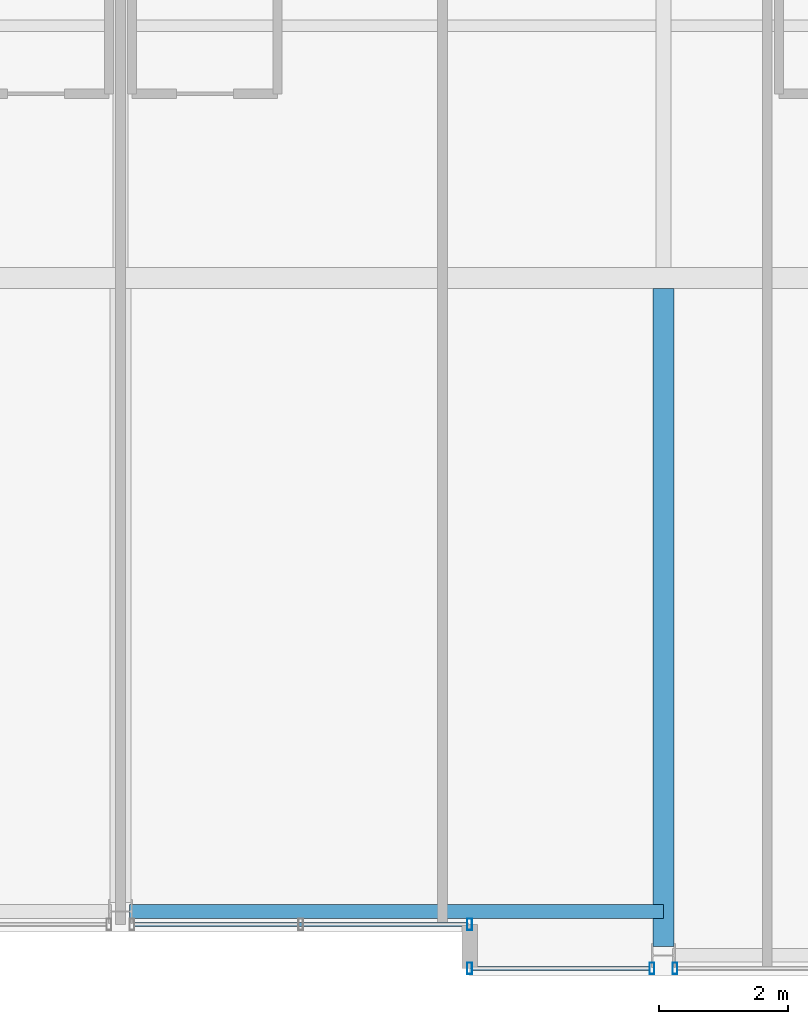
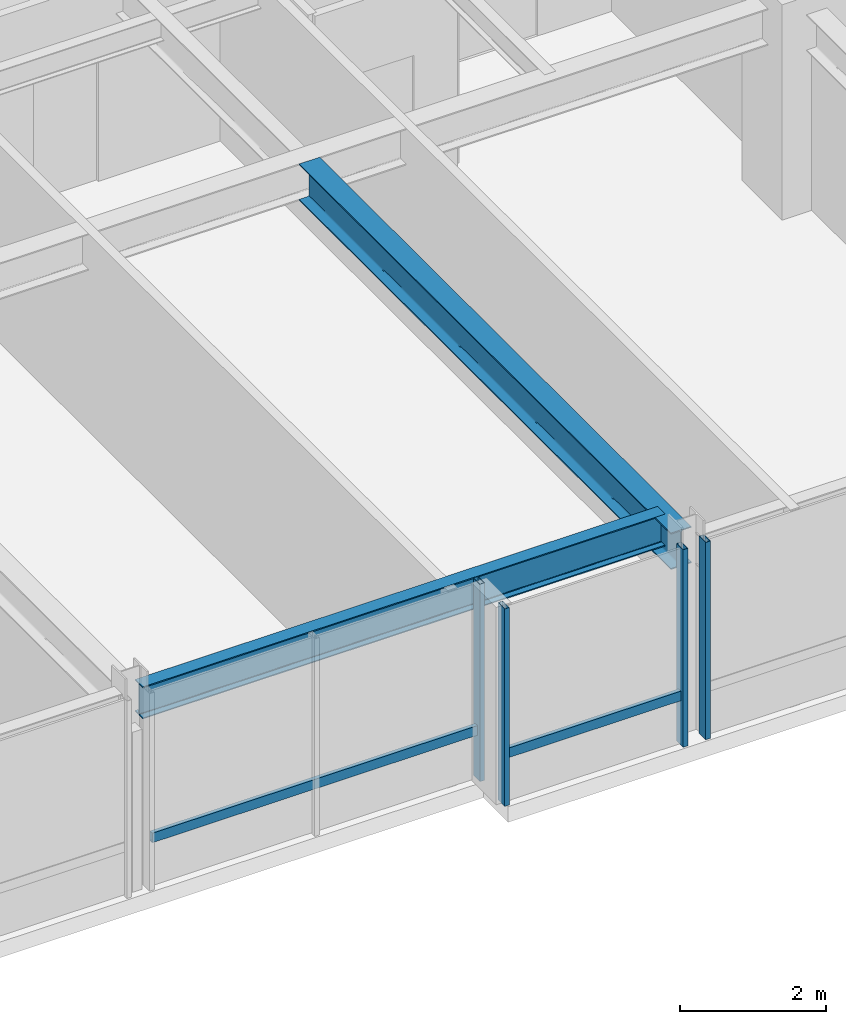
# One storey, part 8 of 34: 6 members, 2 beams, 3 elements without a shape of their own.
"""IFC4 building model written with IfcOpenShell, lengths in metres."""

import ifcopenshell
import ifcopenshell.guid

model = None  # the IFC model being written
_history = None  # IfcOwnerHistory: only IFC2X3 demands one
_inside = {}  # id of a spatial element -> (the spatial element, [elements in it])
_under = {}  # id of a project, library or spatial element -> (it, [spatial elements below it])
_declared = {}  # id of a project -> (the project, [libraries it declares])
_typed = {}  # id of a type object -> (the type object, [elements of that type])
_made_of = {}  # id of a material, layer set ... -> (it, [elements and type objects made of it])


def new_model(schema):
    """Start an empty IFC model of exactly this schema.

    Asked for "IFC4X3", IfcOpenShell would pick the latest addendum, in which some entities
    have other attributes; the version numbers below select the first issue.
    IFC2X3 requires an IfcOwnerHistory on every rooted entity: one is made here for all.
    """
    global model, _history
    if schema == "IFC4X3":
        model = ifcopenshell.file(schema_version=(4, 3, 0, 0))
    else:
        model = ifcopenshell.file(schema=schema)
    _inside.clear()
    _under.clear()
    _declared.clear()
    _typed.clear()
    _made_of.clear()
    _history = None
    if model.schema == "IFC2X3":
        org = make("IfcOrganization", Name="unknown")
        user = make(
            "IfcPersonAndOrganization",
            ThePerson=make("IfcPerson", FamilyName="unknown"),
            TheOrganization=org,
        )
        app = make(
            "IfcApplication",
            ApplicationDeveloper=org,
            Version="unknown",
            ApplicationFullName="unknown",
            ApplicationIdentifier="unknown",
        )
        _history = make(
            "IfcOwnerHistory",
            OwningUser=user,
            OwningApplication=app,
            ChangeAction="ADDED",
            CreationDate=0,
        )
    return model


def make(cls, **values):
    """One entity of the class cls with the attributes given. An attribute that is None is left unset."""
    return model.create_entity(
        cls, **{name: value for name, value in values.items() if value is not None}
    )


def rooted(cls, **values):
    """An entity with a GlobalId (a new one), such as an element, a storey or a relation."""
    return make(cls, GlobalId=ifcopenshell.guid.new(), OwnerHistory=_history, **values)


def si_unit(unit_type, name, prefix=None):
    """IfcSIUnit, for example si_unit("LENGTHUNIT", "METRE", prefix="MILLI")."""
    return make("IfcSIUnit", UnitType=unit_type, Prefix=prefix, Name=name)


def assignment(units):
    """IfcUnitAssignment: the units of a project."""
    return None if units is None else make("IfcUnitAssignment", Units=units)


def point(xyz):
    """IfcCartesianPoint."""
    return None if xyz is None else make("IfcCartesianPoint", Coordinates=xyz)


def direction(xyz):
    """IfcDirection."""
    return None if xyz is None else make("IfcDirection", DirectionRatios=xyz)


def frame(location, z_axis=None, x_axis=None):
    """IfcAxis2Placement3D, a coordinate frame: its origin and axes. An axis left out is left unset."""
    return make(
        "IfcAxis2Placement3D",
        Location=point(location),
        Axis=direction(z_axis),
        RefDirection=direction(x_axis),
    )


def frame_2d(location, x_axis=None):
    """IfcAxis2Placement2D, a coordinate frame in the plane: its origin and x axis."""
    return make(
        "IfcAxis2Placement2D", Location=point(location), RefDirection=direction(x_axis)
    )


def origin():
    """The frame at (0, 0, 0) with its axes left unset."""
    return frame((0.0, 0.0, 0.0))


def origin_2d():
    """The frame at (0, 0) in the plane with its x axis left unset."""
    return frame_2d((0.0, 0.0))


def place(relative_to, where):
    """IfcLocalPlacement: puts the frame where relative to a parent placement (None: the world)."""
    return make(
        "IfcLocalPlacement", PlacementRelTo=relative_to, RelativePlacement=where
    )


def context(
    kind, dimensions, precision=None, world=None, true_north=None, identifier=None
):
    """IfcGeometricRepresentationContext, for example the 3D "Model" context."""
    return make(
        "IfcGeometricRepresentationContext",
        ContextIdentifier=identifier,
        ContextType=kind,
        CoordinateSpaceDimension=dimensions,
        Precision=precision,
        WorldCoordinateSystem=world,
        TrueNorth=true_north,
    )


def subcontext(parent, identifier, kind, view, scale=None):
    """IfcGeometricRepresentationSubContext, for example "Body" below "Model"."""
    return make(
        "IfcGeometricRepresentationSubContext",
        ContextIdentifier=identifier,
        ContextType=kind,
        ParentContext=parent,
        TargetScale=scale,
        TargetView=view,
    )


def project(units=None, contexts=None):
    """IfcProject with its units and contexts."""
    return rooted(
        "IfcProject",
        Name="project",
        RepresentationContexts=contexts,
        UnitsInContext=assignment(units),
    )


def spatial(cls, under=None, at=None, **own):
    """A site, building, storey or space (cls), placed at a placement, below another one or the project."""
    s = rooted(cls, ObjectPlacement=at, **own)
    if under is not None:
        _under.setdefault(under.id(), (under, []))[1].append(s)
    return s


def profile(cls, at=None, kind="AREA", **sizes):
    """A parametric profile (cls). Its sizes go by their IFC names, for example OverallWidth=200.0."""
    return make(cls, ProfileType=kind, Position=at, **sizes)


def hollow_rectangle(**sizes):
    """IfcRectangleHollowProfileDef."""
    return profile("IfcRectangleHollowProfileDef", **sizes)


def i_section(**sizes):
    """IfcIShapeProfileDef."""
    return profile("IfcIShapeProfileDef", **sizes)


def extrude(swept, where, along, depth):
    """IfcExtrudedAreaSolid: the profile swept, set in the frame where, extruded along a direction by depth."""
    return make(
        "IfcExtrudedAreaSolid",
        SweptArea=swept,
        Position=where,
        ExtrudedDirection=direction(along),
        Depth=depth,
    )


def shape(context_of_items, identifier, shape_type, items):
    """IfcShapeRepresentation: the items that make up one representation, for example the "Body"."""
    return make(
        "IfcShapeRepresentation",
        ContextOfItems=context_of_items,
        RepresentationIdentifier=identifier,
        RepresentationType=shape_type,
        Items=items,
    )


def material(Name=None, Category=None):
    """IfcMaterial."""
    return make("IfcMaterial", Name=Name, Category=Category)


def layer(
    of_material, thickness, ventilated=None, Name=None, Category=None, Priority=None
):
    """IfcMaterialLayer: one layer of a wall or slab, of a material (None: an air gap)."""
    return make(
        "IfcMaterialLayer",
        Material=of_material,
        LayerThickness=thickness,
        IsVentilated=ventilated,
        Name=Name,
        Category=Category,
        Priority=Priority,
    )


def layer_set(layers, Name=None):
    """IfcMaterialLayerSet."""
    return make("IfcMaterialLayerSet", MaterialLayers=layers, LayerSetName=Name)


def material_profile(
    of_material, cross_section, Name=None, Category=None, Priority=None
):
    """IfcMaterialProfile: a cross section and its material."""
    return make(
        "IfcMaterialProfile",
        Name=Name,
        Material=of_material,
        Profile=cross_section,
        Priority=Priority,
        Category=Category,
    )


def profile_set(profiles, Name=None, composite=None):
    """IfcMaterialProfileSet."""
    return make(
        "IfcMaterialProfileSet",
        Name=Name,
        MaterialProfiles=profiles,
        CompositeProfile=composite,
    )


def made_of(thing, what):
    """Note that an element or type object is made of a material, layer set ...; save() writes the relation."""
    if what is not None:
        _made_of.setdefault(what.id(), (what, []))[1].append(thing)
    return thing


def type_object(cls, material=None, **own):
    """A type object (cls), such as IfcWallType, which elements share."""
    return made_of(rooted(cls, **own), material)


def element(
    cls,
    number,
    at=None,
    inside=None,
    cuts=None,
    type_object=None,
    material=None,
    context=None,
    identifier="Body",
    shape_type=None,
    held_by="IfcProductDefinitionShape",
    body=None,
    shapes=None,
    **own,
):
    """One element of the class cls, such as IfcWall. Its Tag is "e" and its number.

    at: its placement. inside: the storey or other place that contains it. cuts: it is an
    opening in that element (IfcRelVoidsElement). A single representation is given by context,
    identifier, shape_type and body (its items); several are given by shapes. held_by: the class
    of the entity that holds the representations. save() writes the other relations.
    """
    e = rooted(cls, Tag="e%d" % number, ObjectPlacement=at, **own)
    if body is not None:
        shapes = [shape(context, identifier, shape_type, body)]
    if shapes is not None:
        e.Representation = make(held_by, Representations=shapes)
    if inside is not None:
        _inside.setdefault(inside.id(), (inside, []))[1].append(e)
    if cuts is not None:
        rooted(
            "IfcRelVoidsElement", RelatingBuildingElement=cuts, RelatedOpeningElement=e
        )
    if type_object is not None:
        _typed.setdefault(type_object.id(), (type_object, []))[1].append(e)
    return made_of(e, material)


def aggregate(whole, parts):
    """IfcRelAggregates: a whole, such as a stair, and the parts it consists of."""
    return rooted("IfcRelAggregates", RelatingObject=whole, RelatedObjects=parts)


def save(model, path):
    """Write the relations noted so far, then the file.

    IfcRelAggregates (storeys below a building ...), IfcRelContainedInSpatialStructure (elements
    in a storey), IfcRelDefinesByType, IfcRelAssociatesMaterial and IfcRelDeclares: one each for
    every whole, place, type object, material and project.
    """
    for whole, parts in _under.values():
        aggregate(whole, parts)
    for where, things in _inside.values():
        rooted(
            "IfcRelContainedInSpatialStructure",
            RelatedElements=things,
            RelatingStructure=where,
        )
    for kind, things in _typed.values():
        rooted("IfcRelDefinesByType", RelatedObjects=things, RelatingType=kind)
    for what, things in _made_of.values():
        rooted("IfcRelAssociatesMaterial", RelatedObjects=things, RelatingMaterial=what)
    for by, libraries in _declared.values():
        rooted("IfcRelDeclares", RelatingContext=by, RelatedDefinitions=libraries)
    model.write(path)


model = new_model("IFC4")

# Units and contexts
model_context = context("Model", 3, precision=1e-05, world=origin(), true_north=direction((0.0, 1.0)))
body_context = subcontext(model_context, "Body", "Model", "MODEL_VIEW")
ifc_project = project(units=[si_unit("LENGTHUNIT", "METRE"), si_unit("AREAUNIT", "SQUARE_METRE"), si_unit("VOLUMEUNIT", "CUBIC_METRE"), si_unit("PLANEANGLEUNIT", "RADIAN"), si_unit("MASSUNIT", "GRAM", prefix="KILO")], contexts=[model_context])

# Site, building, storey
site_placement = place(None, origin())
site = spatial("IfcSite", under=ifc_project, at=site_placement, CompositionType="ELEMENT")
building_placement = place(site_placement, origin())
building = spatial("IfcBuilding", under=site, at=building_placement, Name="Drelvath Grand Hotel", CompositionType="ELEMENT")
storey_placement = place(building_placement, frame((0.0, 0.0, 251.89990234375)))
storey = spatial("IfcBuildingStorey", under=building, at=storey_placement, Name="L66", CompositionType="ELEMENT", Elevation=251.89990234375)

# Curtain wall, member
ifc_material_1 = material(Name="Platinum-Mist Anodised Aluminium Frame", Category="aluminium")
ifc_layer = layer(ifc_material_1, 0.199951171875)
ifc_layer_set = layer_set([ifc_layer], Name="Platinum-Mist Anodised Aluminium Frame")
curtain_wall_type = type_object("IfcCurtainWallType", Name="Stick Curtain Wall CW-05 Platinum Mist High-Rise", PredefinedType="NOTDEFINED", material=ifc_layer_set)
curtain_wall_1_placement = place(storey_placement, origin())
curtain_wall_1 = element("IfcCurtainWall", 1, at=curtain_wall_1_placement, inside=storey, type_object=curtain_wall_type, Name="L66 CW-05 Curtain Wall CW05-L66-SE1", PredefinedType="NOTDEFINED")
ifc_material_profile_1 = material_profile(ifc_material_1, hollow_rectangle(XDim=0.06494140625, YDim=0.159912109375, WallThickness=0.00390625, at=origin_2d()), Name="HSS160X65X4")
ifc_profile_set_1 = profile_set([ifc_material_profile_1], Name="Platinum-Mist Anodised Aluminium Frame")
member_type_1 = type_object("IfcMemberType", Name="Curtain Wall Horizontal Transom CW-05 HSS160X65X4", PredefinedType="USERDEFINED", material=ifc_profile_set_1)
member_1_placement = place(storey_placement, frame((8.181884765625, 0.1201171875, 0.8251953125), z_axis=(-1.0, 0.0, 0.0), x_axis=(0.0, -1.0, 0.0)))
member_1 = element("IfcMember", 2, at=member_1_placement, type_object=member_type_1, Name="CW05-L66-SE1 Sill Transom", ObjectType="TRANSOM", PredefinedType="USERDEFINED", context=body_context, shape_type="SweptSolid", body=[
    extrude(hollow_rectangle(XDim=0.06494140625, YDim=0.159912109375, WallThickness=0.00390625, at=origin_2d()), origin(), (0.0, 0.0, 1.0), 2.741943359375),
])

curtain_wall_2_placement = place(storey_placement, origin())
curtain_wall_2 = element("IfcCurtainWall", 3, at=curtain_wall_2_placement, inside=storey, type_object=curtain_wall_type, Name="L66 CW-05 Curtain Wall CW05-L66-SM2", PredefinedType="NOTDEFINED")
member_2_placement = place(storey_placement, frame((5.360107421875, 0.800048828125, 0.8251953125), z_axis=(-1.0, 0.0, 0.0), x_axis=(0.0, -1.0, 0.0)))
member_2 = element("IfcMember", 4, at=member_2_placement, type_object=member_type_1, Name="CW05-L66-SM2 Sill Transom", ObjectType="TRANSOM", PredefinedType="USERDEFINED", context=body_context, shape_type="SweptSolid", body=[
    extrude(hollow_rectangle(XDim=0.06494140625, YDim=0.159912109375, WallThickness=0.00390625, at=origin_2d()), origin(), (0.0, 0.0, 1.0), 5.141845703125),
])

# Member
ifc_material_profile_2 = material_profile(ifc_material_1, hollow_rectangle(XDim=0.074951171875, YDim=0.179931640625, WallThickness=0.0048828125, at=origin_2d()), Name="HSS180X75X5")
ifc_profile_set_2 = profile_set([ifc_material_profile_2], Name="Platinum-Mist Anodised Aluminium Frame")
member_type_2 = type_object("IfcMemberType", Name="Curtain Wall Vertical Mullion CW-05 HSS180X75X5", PredefinedType="MULLION", material=ifc_profile_set_2)
member_3_placement = place(storey_placement, frame((8.2216796875, 0.1201171875, 0.0), z_axis=(0.0, 0.0, 1.0), x_axis=(1.0, 0.0, 0.0)))
member_3 = element("IfcMember", 5, at=member_3_placement, type_object=member_type_2, Name="CW05-L66-SE1 Mullion 1", PredefinedType="MULLION", context=body_context, shape_type="SweptSolid", body=[
    extrude(hollow_rectangle(XDim=0.074951171875, YDim=0.179931640625, WallThickness=0.0048828125, at=origin_2d()), origin(), (0.0, 0.0, 1.0), 3.300048828125),
])

member_4_placement = place(storey_placement, frame((5.39990234375, 0.1201171875, 0.0), z_axis=(0.0, 0.0, 1.0), x_axis=(1.0, 0.0, 0.0)))
member_4 = element("IfcMember", 6, at=member_4_placement, type_object=member_type_2, Name="CW05-L66-SE1 Mullion 2", PredefinedType="MULLION", context=body_context, shape_type="SweptSolid", body=[
    extrude(hollow_rectangle(XDim=0.074951171875, YDim=0.179931640625, WallThickness=0.0048828125, at=origin_2d()), origin(), (0.0, 0.0, 1.0), 3.300048828125),
])

aggregate(curtain_wall_1, [member_3, member_4, member_1])

# Curtain wall, member
curtain_wall_3_placement = place(storey_placement, origin())
curtain_wall_3 = element("IfcCurtainWall", 7, at=curtain_wall_3_placement, inside=storey, type_object=curtain_wall_type, Name="L66 CW-05 Curtain Wall CW05-L66-SE2", PredefinedType="NOTDEFINED")
member_5_placement = place(storey_placement, frame((8.578125, 0.1201171875, 0.0), z_axis=(0.0, 0.0, 1.0), x_axis=(1.0, 0.0, 0.0)))
member_5 = element("IfcMember", 8, at=member_5_placement, type_object=member_type_2, Name="CW05-L66-SE2 Mullion 3", PredefinedType="MULLION", context=body_context, shape_type="SweptSolid", body=[
    extrude(hollow_rectangle(XDim=0.074951171875, YDim=0.179931640625, WallThickness=0.0048828125, at=origin_2d()), origin(), (0.0, 0.0, 1.0), 3.300048828125),
])
aggregate(curtain_wall_3, [member_5])

# Member
member_6_placement = place(storey_placement, frame((5.39990234375, 0.800048828125, 0.0), z_axis=(0.0, 0.0, 1.0), x_axis=(1.0, 0.0, 0.0)))
member_6 = element("IfcMember", 9, at=member_6_placement, type_object=member_type_2, Name="CW05-L66-SM2 Mullion 1", PredefinedType="MULLION", context=body_context, shape_type="SweptSolid", body=[
    extrude(hollow_rectangle(XDim=0.074951171875, YDim=0.179931640625, WallThickness=0.0048828125, at=origin_2d()), origin(), (0.0, 0.0, 1.0), 3.300048828125),
])

aggregate(curtain_wall_2, [member_6, member_2])

# Beams
ifc_material_2 = material(Name="Steel ASTM A992 Gr 50", Category="steel")
ifc_material_profile_3 = material_profile(ifc_material_2, i_section(OverallWidth=0.210205078125, OverallDepth=0.53662109375, WebThickness=0.010986328125, FlangeThickness=0.017333984375, FilletRadius=0.01806640625, at=origin_2d()), Name="W21X68")
ifc_profile_set_3 = profile_set([ifc_material_profile_3], Name="Steel ASTM A992 Gr 50")
beam_type_1 = type_object("IfcBeamType", Name="Perimeter Spandrel Beam W21X68", PredefinedType="SPANDREL", material=ifc_profile_set_3)
beam_1_placement = place(storey_placement, frame((0.139892578125, 1.0, 3.03173828125), z_axis=(1.0, 0.0, 0.0), x_axis=(0.0, 1.0, 0.0)))
element("IfcBeam", 10, at=beam_1_placement, inside=storey, type_object=beam_type_1, Name="L66 Spandrel South Mid E", PredefinedType="SPANDREL", context=body_context, shape_type="SweptSolid", body=[
    extrude(i_section(OverallWidth=0.210205078125, OverallDepth=0.53662109375, WebThickness=0.010986328125, FlangeThickness=0.017333984375, FilletRadius=0.01806640625, at=origin_2d()), origin(), (0.0, 0.0, 1.0), 8.260009765625),
])
ifc_material_profile_4 = material_profile(ifc_material_2, i_section(OverallWidth=0.323974609375, OverallDepth=0.611083984375, WebThickness=0.0126953125, FlangeThickness=0.01904296875, FilletRadius=0.02197265625, at=origin_2d()), Name="W24X104")
ifc_profile_set_4 = profile_set([ifc_material_profile_4], Name="Steel ASTM A992 Gr 50")
beam_type_2 = type_object("IfcBeamType", Name="Primary Floor Girder W24X104", PredefinedType="BEAM", material=ifc_profile_set_4)
beam_2_placement = place(storey_placement, frame((8.39990234375, 0.4599609375, 2.994384765625), z_axis=(0.0, 1.0, 0.0), x_axis=(-1.0, 0.0, 0.0)))
element("IfcBeam", 11, at=beam_2_placement, inside=storey, type_object=beam_type_2, Name="L66 South Wing Girder 6", PredefinedType="BEAM", context=body_context, shape_type="SweptSolid", body=[
    extrude(i_section(OverallWidth=0.323974609375, OverallDepth=0.611083984375, WebThickness=0.0126953125, FlangeThickness=0.01904296875, FilletRadius=0.02197265625, at=origin_2d()), origin(), (0.0, 0.0, 1.0), 10.177978515625),
])

save(model, "model.ifc")
